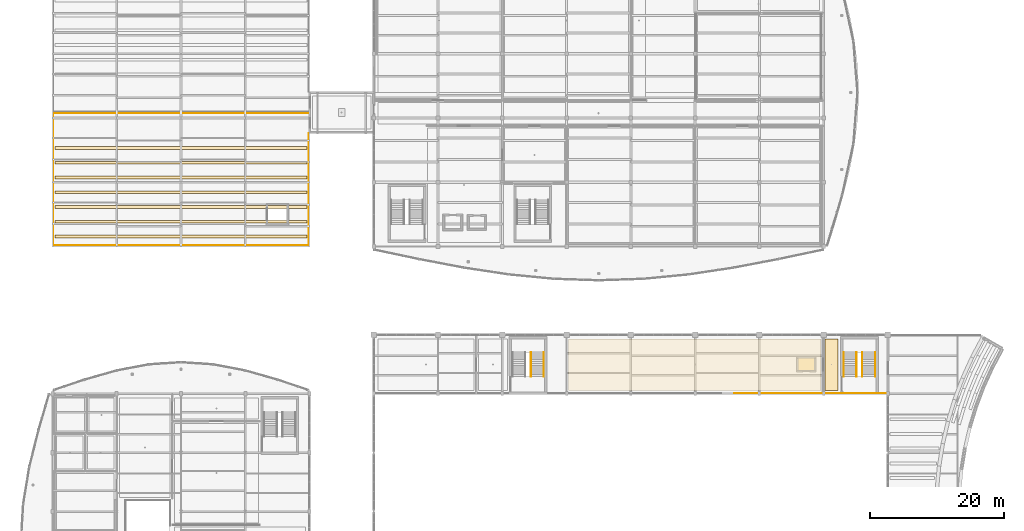
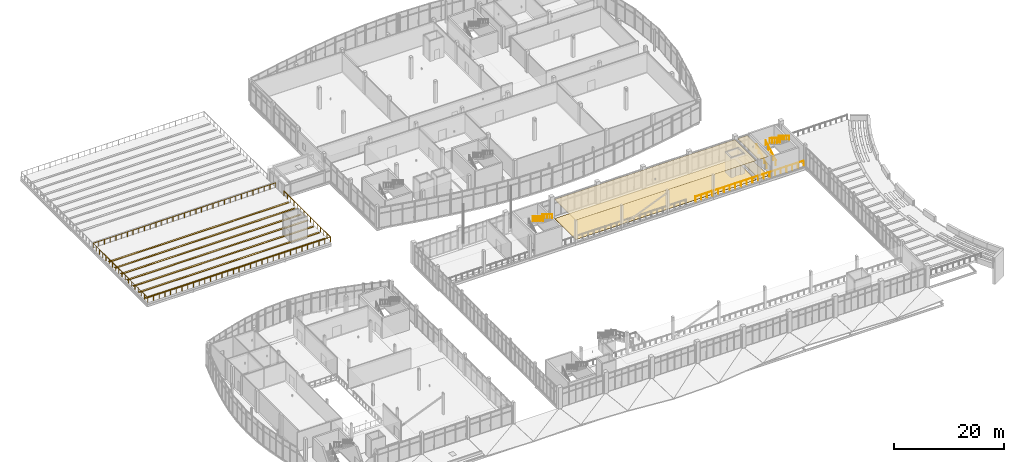
# One storey, part 153 of 157: 11 coverings, 8 railings, 2 elements without a shape of their own.
"""IFC4 building model written with IfcOpenShell, lengths in metres."""

from ifc_helpers import new_model, si_unit, direction, frame, origin, origin_2d, place, context, subcontext, project, spatial, polyline, circle, outline, extrude, material, layer, layer_set, type_object, element, aggregate, save


model = new_model("IFC4")

# Units and contexts
model_context = context("Model", 3, precision=1e-05, world=origin(), true_north=direction((0.0, 1.0)))
body_context = subcontext(model_context, "Body", "Model", "MODEL_VIEW")
ifc_project = project(units=[si_unit("LENGTHUNIT", "METRE"), si_unit("AREAUNIT", "SQUARE_METRE"), si_unit("VOLUMEUNIT", "CUBIC_METRE"), si_unit("PLANEANGLEUNIT", "RADIAN"), si_unit("MASSUNIT", "GRAM", prefix="KILO")], contexts=[model_context])

# Site, building, storey
site_placement = place(None, origin())
site = spatial("IfcSite", under=ifc_project, at=site_placement, CompositionType="ELEMENT")
building_placement = place(site_placement, origin())
building = spatial("IfcBuilding", under=site, at=building_placement, Name="Chalmorin Arch Market", CompositionType="ELEMENT")
storey_placement = place(building_placement, frame((0.0, 0.0, 4.800048828125)))
storey = spatial("IfcBuildingStorey", under=building, at=storey_placement, Name="L01", CompositionType="ELEMENT", Elevation=4.800048828125)

# Coverings
ifc_material_1 = material(Name="Mineral Fibre Acoustic Tile")
ifc_layer_1 = layer(ifc_material_1, 0.044921875)
ifc_layer_set_1 = layer_set([ifc_layer_1], Name="Mineral Fibre Acoustic Tile")
covering_type_1 = type_object("IfcCoveringType", Name="AcousticBaffleCeiling-45", PredefinedType="CEILING", material=ifc_layer_set_1)
covering_1_placement = place(storey_placement, frame((0.0, 0.0, 4.23486328125)))
element("IfcCovering", 1, at=covering_1_placement, inside=storey, type_object=covering_type_1, Name="CLG-01-149", PredefinedType="CEILING", context=body_context, shape_type="SweptSolid", body=[
    extrude(outline(polyline([(77.1201171875, 50.52001953125), (114.780029296875, 50.52001953125), (114.780029296875, 58.179931640625), (77.1201171875, 58.179931640625), (77.1201171875, 50.52001953125)])), origin(), (0.0, 0.0, 1.0), 0.045166015625),
])
covering_2_placement = place(storey_placement, frame((0.0, 0.0, 4.23486328125)))
element("IfcCovering", 2, at=covering_2_placement, inside=storey, type_object=covering_type_1, Name="CLG-01-151", PredefinedType="CEILING", context=body_context, shape_type="SweptSolid", body=[
    extrude(outline(polyline([(115.419921875, 50.52001953125), (117.3798828125, 50.52001953125), (117.3798828125, 58.179931640625), (115.419921875, 58.179931640625), (115.419921875, 50.52001953125)])), origin(), (0.0, 0.0, 1.0), 0.045166015625),
])

# Railing
ifc_material_2 = material(Name="Laminated Acoustic Glass", Category="glass")
ifc_layer_2 = layer(ifc_material_2, 0.070068359375)
ifc_layer_set_2 = layer_set([ifc_layer_2], Name="Laminated Acoustic Glass")
railing_type_1 = type_object("IfcRailingType", Name="GlassBalustradeRailing-1150", PredefinedType="BALUSTRADE", material=ifc_layer_set_2)
railing_1_placement = place(storey_placement, frame((101.89990234375, 50.080078125, 0.0)))
element("IfcRailing", 3, at=railing_1_placement, inside=storey, type_object=railing_type_1, Name="GR-004", PredefinedType="BALUSTRADE", context=body_context, shape_type="SweptSolid", body=[
    extrude(circle(Radius=0.02392578125, at=origin_2d()), frame((0.0, 0.0, 1.1259765625), z_axis=(1.0, 0.0, 0.0), x_axis=(0.0, 1.0, 0.0)), (0.0, 0.0, 1.0), 22.60009765625),
    extrude(circle(Radius=0.02099609375, at=origin_2d()), origin(), (0.0, 0.0, 1.0), 1.101806640625),
    extrude(circle(Radius=0.02099609375, at=origin_2d()), frame((1.189453125, 0.0, 0.0)), (0.0, 0.0, 1.0), 1.101806640625),
    extrude(circle(Radius=0.02099609375, at=origin_2d()), frame((2.37890625, 0.0, 0.0)), (0.0, 0.0, 1.0), 1.101806640625),
    extrude(circle(Radius=0.02099609375, at=origin_2d()), frame((3.568359375, 0.0, 0.0)), (0.0, 0.0, 1.0), 1.101806640625),
    extrude(circle(Radius=0.02099609375, at=origin_2d()), frame((4.7578125, 0.0, 0.0)), (0.0, 0.0, 1.0), 1.101806640625),
    extrude(circle(Radius=0.02099609375, at=origin_2d()), frame((5.947509765625, 0.0, 0.0)), (0.0, 0.0, 1.0), 1.101806640625),
    extrude(circle(Radius=0.02099609375, at=origin_2d()), frame((7.136962890625, 0.0, 0.0)), (0.0, 0.0, 1.0), 1.101806640625),
    extrude(circle(Radius=0.02099609375, at=origin_2d()), frame((8.326416015625, 0.0, 0.0)), (0.0, 0.0, 1.0), 1.101806640625),
    extrude(circle(Radius=0.02099609375, at=origin_2d()), frame((9.515869140625, 0.0, 0.0)), (0.0, 0.0, 1.0), 1.101806640625),
    extrude(circle(Radius=0.02099609375, at=origin_2d()), frame((10.705322265625, 0.0, 0.0)), (0.0, 0.0, 1.0), 1.101806640625),
    extrude(circle(Radius=0.02099609375, at=origin_2d()), frame((11.894775390625, 0.0, 0.0)), (0.0, 0.0, 1.0), 1.101806640625),
    extrude(circle(Radius=0.02099609375, at=origin_2d()), frame((13.084228515625, 0.0, 0.0)), (0.0, 0.0, 1.0), 1.101806640625),
    extrude(circle(Radius=0.02099609375, at=origin_2d()), frame((14.273681640625, 0.0, 0.0)), (0.0, 0.0, 1.0), 1.101806640625),
    extrude(circle(Radius=0.02099609375, at=origin_2d()), frame((15.463134765625, 0.0, 0.0)), (0.0, 0.0, 1.0), 1.101806640625),
    extrude(circle(Radius=0.02099609375, at=origin_2d()), frame((16.652587890625, 0.0, 0.0)), (0.0, 0.0, 1.0), 1.101806640625),
    extrude(circle(Radius=0.02099609375, at=origin_2d()), frame((17.84228515625, 0.0, 0.0)), (0.0, 0.0, 1.0), 1.101806640625),
    extrude(circle(Radius=0.02099609375, at=origin_2d()), frame((19.03173828125, 0.0, 0.0)), (0.0, 0.0, 1.0), 1.101806640625),
    extrude(circle(Radius=0.02099609375, at=origin_2d()), frame((20.22119140625, 0.0, 0.0)), (0.0, 0.0, 1.0), 1.101806640625),
    extrude(circle(Radius=0.02099609375, at=origin_2d()), frame((21.41064453125, 0.0, 0.0)), (0.0, 0.0, 1.0), 1.101806640625),
    extrude(circle(Radius=0.02099609375, at=origin_2d()), frame((22.60009765625, 0.0, 0.0)), (0.0, 0.0, 1.0), 1.101806640625),
])

# Stair, railings
ifc_material_3 = material(Name="Concrete C40/50", Category="concrete")
stair_type_1 = type_object("IfcStairType", Name="DoglegExitStair-28R-SC4", PredefinedType="HALF_TURN_STAIR", material=ifc_material_3)
stair_1_placement = place(storey_placement, origin())
stair_1 = element("IfcStair", 4, at=stair_1_placement, inside=storey, type_object=stair_type_1, Name="ST-10", PredefinedType="HALF_TURN_STAIR")
ifc_material_4 = material(Name="Stainless Steel 316", Category="steel")
ifc_layer_3 = layer(ifc_material_4, 0.048095703125)
ifc_layer_set_3 = layer_set([ifc_layer_3], Name="Stainless Steel 316")
railing_type_2 = type_object("IfcRailingType", Name="StairTubeHandrail-920", PredefinedType="HANDRAIL", material=ifc_layer_set_3)
railing_2_placement = place(storey_placement, frame((118.199951171875, 52.56005859375, 0.17138671875)))
railing_2 = element("IfcRailing", 5, at=railing_2_placement, type_object=railing_type_2, Name="HR-01-041", PredefinedType="HANDRAIL", context=body_context, shape_type="SweptSolid", body=[
    extrude(circle(Radius=0.02392578125, at=origin_2d()), frame((0.0, 0.0, 0.89599609375), z_axis=(0.0, 0.852850264322, 0.5221555579), x_axis=(-1.0, 0.0, 0.0)), (0.0, 0.0, 1.0), 4.267822265625),
    extrude(circle(Radius=0.02099609375, at=origin_2d()), origin(), (0.0, 0.0, 1.0), 0.871826171875),
    extrude(circle(Radius=0.02099609375, at=origin_2d()), frame((0.0, 0.909912109375, 0.55712890625)), (0.0, 0.0, 1.0), 0.871826171875),
    extrude(circle(Radius=0.02099609375, at=origin_2d()), frame((0.0, 1.81982421875, 1.1142578125)), (0.0, 0.0, 1.0), 0.871826171875),
    extrude(circle(Radius=0.02099609375, at=origin_2d()), frame((0.0, 2.72998046875, 1.67138671875)), (0.0, 0.0, 1.0), 0.871826171875),
    extrude(circle(Radius=0.02099609375, at=origin_2d()), frame((0.0, 3.639892578125, 2.228515625)), (0.0, 0.0, 1.0), 0.871826171875),
])
railing_3_placement = place(storey_placement, frame((122.89990234375, 56.199951171875, 2.5712890625)))
railing_3 = element("IfcRailing", 6, at=railing_3_placement, type_object=railing_type_2, Name="HR-01-044", PredefinedType="HANDRAIL", context=body_context, shape_type="SweptSolid", body=[
    extrude(circle(Radius=0.02392578125, at=origin_2d()), frame((0.0, 0.0, 0.89599609375), z_axis=(0.0, -0.852824790078, 0.522197163366), x_axis=(1.0, 0.0, 0.0)), (0.0, 0.0, 1.0), 4.26806640625),
    extrude(circle(Radius=0.02099609375, at=origin_2d()), origin(), (0.0, 0.0, 1.0), 0.871826171875),
    extrude(circle(Radius=0.02099609375, at=origin_2d()), frame((0.0, -0.909912109375, 0.55712890625)), (0.0, 0.0, 1.0), 0.871826171875),
    extrude(circle(Radius=0.02099609375, at=origin_2d()), frame((0.0, -1.81982421875, 1.1142578125)), (0.0, 0.0, 1.0), 0.871826171875),
    extrude(circle(Radius=0.02099609375, at=origin_2d()), frame((0.0, -2.72998046875, 1.671630859375)), (0.0, 0.0, 1.0), 0.871826171875),
    extrude(circle(Radius=0.02099609375, at=origin_2d()), frame((0.0, -3.639892578125, 2.228759765625)), (0.0, 0.0, 1.0), 0.871826171875),
])

# Stair, railing
stair_type_2 = type_object("IfcStairType", Name="DoglegExitStair-28R-SC8", PredefinedType="HALF_TURN_STAIR", material=ifc_material_3)
stair_2_placement = place(storey_placement, origin())
stair_2 = element("IfcStair", 7, at=stair_2_placement, inside=storey, type_object=stair_type_2, Name="ST-25", PredefinedType="HALF_TURN_STAIR")
railing_4_placement = place(storey_placement, frame((73.39990234375, 56.199951171875, 2.5712890625)))
railing_4 = element("IfcRailing", 8, at=railing_4_placement, type_object=railing_type_2, Name="HR-01-108", PredefinedType="HANDRAIL", context=body_context, shape_type="SweptSolid", body=[
    extrude(circle(Radius=0.02392578125, at=origin_2d()), frame((0.0, 0.0, 0.89599609375), z_axis=(0.0, -0.852824790078, 0.522197163366), x_axis=(1.0, 0.0, 0.0)), (0.0, 0.0, 1.0), 4.26806640625),
    extrude(circle(Radius=0.02099609375, at=origin_2d()), origin(), (0.0, 0.0, 1.0), 0.871826171875),
    extrude(circle(Radius=0.02099609375, at=origin_2d()), frame((0.0, -0.909912109375, 0.55712890625)), (0.0, 0.0, 1.0), 0.871826171875),
    extrude(circle(Radius=0.02099609375, at=origin_2d()), frame((0.0, -1.81982421875, 1.1142578125)), (0.0, 0.0, 1.0), 0.871826171875),
    extrude(circle(Radius=0.02099609375, at=origin_2d()), frame((0.0, -2.72998046875, 1.671630859375)), (0.0, 0.0, 1.0), 0.871826171875),
    extrude(circle(Radius=0.02099609375, at=origin_2d()), frame((0.0, -3.639892578125, 2.228759765625)), (0.0, 0.0, 1.0), 0.871826171875),
])

# Railing
ifc_material_5 = material(Name="Galvanised Steel", Category="steel")
ifc_layer_4 = layer(ifc_material_5, 0.054931640625)
ifc_layer_set_4 = layer_set([ifc_layer_4], Name="Galvanised Steel")
railing_type_3 = type_object("IfcRailingType", Name="StairWellGuardrail-1100", PredefinedType="GUARDRAIL", material=ifc_layer_set_4)
railing_5_placement = place(storey_placement, frame((120.1298828125, 52.56005859375, 0.17138671875)))
railing_5 = element("IfcRailing", 9, at=railing_5_placement, type_object=railing_type_3, Name="SG-01-042", PredefinedType="GUARDRAIL", context=body_context, shape_type="SweptSolid", body=[
    extrude(circle(Radius=0.02392578125, at=origin_2d()), frame((0.0, 0.0, 1.076171875), z_axis=(0.0, 0.852850264322, 0.5221555579), x_axis=(-1.0, 0.0, 0.0)), (0.0, 0.0, 1.0), 4.267822265625),
    extrude(circle(Radius=0.02099609375, at=origin_2d()), origin(), (0.0, 0.0, 1.0), 1.052001953125),
    extrude(circle(Radius=0.02099609375, at=origin_2d()), frame((0.0, 0.909912109375, 0.55712890625)), (0.0, 0.0, 1.0), 1.052001953125),
    extrude(circle(Radius=0.02099609375, at=origin_2d()), frame((0.0, 1.81982421875, 1.1142578125)), (0.0, 0.0, 1.0), 1.052001953125),
    extrude(circle(Radius=0.02099609375, at=origin_2d()), frame((0.0, 2.72998046875, 1.67138671875)), (0.0, 0.0, 1.0), 1.052001953125),
    extrude(circle(Radius=0.02099609375, at=origin_2d()), frame((0.0, 3.639892578125, 2.228515625)), (0.0, 0.0, 1.0), 1.052001953125),
])

railing_6_placement = place(storey_placement, frame((120.969970703125, 56.199951171875, 2.5712890625)))
railing_6 = element("IfcRailing", 10, at=railing_6_placement, type_object=railing_type_3, Name="SG-01-043", PredefinedType="GUARDRAIL", context=body_context, shape_type="SweptSolid", body=[
    extrude(circle(Radius=0.02392578125, at=origin_2d()), frame((0.0, 0.0, 1.076171875), z_axis=(0.0, -0.852824790078, 0.522197163366), x_axis=(1.0, 0.0, 0.0)), (0.0, 0.0, 1.0), 4.26806640625),
    extrude(circle(Radius=0.02099609375, at=origin_2d()), origin(), (0.0, 0.0, 1.0), 1.052001953125),
    extrude(circle(Radius=0.02099609375, at=origin_2d()), frame((0.0, -0.909912109375, 0.55712890625)), (0.0, 0.0, 1.0), 1.052001953125),
    extrude(circle(Radius=0.02099609375, at=origin_2d()), frame((0.0, -1.81982421875, 1.1142578125)), (0.0, 0.0, 1.0), 1.052001953125),
    extrude(circle(Radius=0.02099609375, at=origin_2d()), frame((0.0, -2.72998046875, 1.671630859375)), (0.0, 0.0, 1.0), 1.052001953125),
    extrude(circle(Radius=0.02099609375, at=origin_2d()), frame((0.0, -3.639892578125, 2.228759765625)), (0.0, 0.0, 1.0), 1.052001953125),
])

aggregate(stair_1, [railing_2, railing_5, railing_6, railing_3])

railing_7_placement = place(storey_placement, frame((71.469970703125, 56.199951171875, 2.5712890625)))
railing_7 = element("IfcRailing", 11, at=railing_7_placement, type_object=railing_type_3, Name="SG-01-107", PredefinedType="GUARDRAIL", context=body_context, shape_type="SweptSolid", body=[
    extrude(circle(Radius=0.02392578125, at=origin_2d()), frame((0.0, 0.0, 1.076171875), z_axis=(0.0, -0.852824790078, 0.522197163366), x_axis=(1.0, 0.0, 0.0)), (0.0, 0.0, 1.0), 4.26806640625),
    extrude(circle(Radius=0.02099609375, at=origin_2d()), origin(), (0.0, 0.0, 1.0), 1.052001953125),
    extrude(circle(Radius=0.02099609375, at=origin_2d()), frame((0.0, -0.909912109375, 0.55712890625)), (0.0, 0.0, 1.0), 1.052001953125),
    extrude(circle(Radius=0.02099609375, at=origin_2d()), frame((0.0, -1.81982421875, 1.1142578125)), (0.0, 0.0, 1.0), 1.052001953125),
    extrude(circle(Radius=0.02099609375, at=origin_2d()), frame((0.0, -2.72998046875, 1.671630859375)), (0.0, 0.0, 1.0), 1.052001953125),
    extrude(circle(Radius=0.02099609375, at=origin_2d()), frame((0.0, -3.639892578125, 2.228759765625)), (0.0, 0.0, 1.0), 1.052001953125),
])

aggregate(stair_2, [railing_7, railing_4])

ifc_layer_5 = layer(ifc_material_5, 0.06005859375)
ifc_layer_set_5 = layer_set([ifc_layer_5], Name="Galvanised Steel")
railing_type_4 = type_object("IfcRailingType", Name="TerraceMeshGuardrail-1100", PredefinedType="GUARDRAIL", material=ifc_layer_set_5)
railing_8_placement = place(storey_placement, frame((38.300048828125, 88.89990234375, 0.0)))
element("IfcRailing", 12, at=railing_8_placement, inside=storey, type_object=railing_type_4, Name="GR-011", PredefinedType="GUARDRAIL", context=body_context, shape_type="SweptSolid", body=[
    extrude(circle(Radius=0.02392578125, at=origin_2d()), frame((0.0, 0.0, 1.076171875), z_axis=(0.0, -1.0, 0.0), x_axis=(1.0, 0.0, 0.0)), (0.0, 0.0, 1.0), 16.77978515625),
    extrude(circle(Radius=0.02392578125, at=origin_2d()), frame((0.0, -16.77978515625, 1.076171875), z_axis=(-1.0, 0.0, 0.0), x_axis=(0.0, -1.0, 0.0)), (0.0, 0.0, 1.0), 38.179931640625),
    extrude(circle(Radius=0.02392578125, at=origin_2d()), frame((-38.179931640625, -16.77978515625, 1.076171875), z_axis=(0.0, 1.0, 0.0), x_axis=(-1.0, 0.0, 0.0)), (0.0, 0.0, 1.0), 19.77978515625),
    extrude(circle(Radius=0.02392578125, at=origin_2d()), frame((-38.179931640625, 3.0, 1.076171875), z_axis=(1.0, 0.0, 0.0), x_axis=(0.0, 1.0, 0.0)), (0.0, 0.0, 1.0), 38.179931640625),
    extrude(circle(Radius=0.02099609375, at=origin_2d()), origin(), (0.0, 0.0, 1.0), 1.052001953125),
    extrude(circle(Radius=0.02099609375, at=origin_2d()), frame((0.0, -1.198486328125, 0.0)), (0.0, 0.0, 1.0), 1.052001953125),
    extrude(circle(Radius=0.02099609375, at=origin_2d()), frame((0.0, -2.397216796875, 0.0)), (0.0, 0.0, 1.0), 1.052001953125),
    extrude(circle(Radius=0.02099609375, at=origin_2d()), frame((0.0, -3.595703125, 0.0)), (0.0, 0.0, 1.0), 1.052001953125),
    extrude(circle(Radius=0.02099609375, at=origin_2d()), frame((0.0, -4.794189453125, 0.0)), (0.0, 0.0, 1.0), 1.052001953125),
    extrude(circle(Radius=0.02099609375, at=origin_2d()), frame((0.0, -5.99267578125, 0.0)), (0.0, 0.0, 1.0), 1.052001953125),
    extrude(circle(Radius=0.02099609375, at=origin_2d()), frame((0.0, -7.19140625, 0.0)), (0.0, 0.0, 1.0), 1.052001953125),
    extrude(circle(Radius=0.02099609375, at=origin_2d()), frame((0.0, -8.389892578125, 0.0)), (0.0, 0.0, 1.0), 1.052001953125),
    extrude(circle(Radius=0.02099609375, at=origin_2d()), frame((0.0, -9.58837890625, 0.0)), (0.0, 0.0, 1.0), 1.052001953125),
    extrude(circle(Radius=0.02099609375, at=origin_2d()), frame((0.0, -10.787109375, 0.0)), (0.0, 0.0, 1.0), 1.052001953125),
    extrude(circle(Radius=0.02099609375, at=origin_2d()), frame((0.0, -11.985595703125, 0.0)), (0.0, 0.0, 1.0), 1.052001953125),
    extrude(circle(Radius=0.02099609375, at=origin_2d()), frame((0.0, -13.18408203125, 0.0)), (0.0, 0.0, 1.0), 1.052001953125),
    extrude(circle(Radius=0.02099609375, at=origin_2d()), frame((0.0, -14.382568359375, 0.0)), (0.0, 0.0, 1.0), 1.052001953125),
    extrude(circle(Radius=0.02099609375, at=origin_2d()), frame((0.0, -15.581298828125, 0.0)), (0.0, 0.0, 1.0), 1.052001953125),
    extrude(circle(Radius=0.02099609375, at=origin_2d()), frame((0.0, -16.77978515625, 0.0)), (0.0, 0.0, 1.0), 1.052001953125),
    extrude(circle(Radius=0.02099609375, at=origin_2d()), frame((-1.193115234375, -16.77978515625, 0.0)), (0.0, 0.0, 1.0), 1.052001953125),
    extrude(circle(Radius=0.02099609375, at=origin_2d()), frame((-2.38623046875, -16.77978515625, 0.0)), (0.0, 0.0, 1.0), 1.052001953125),
    extrude(circle(Radius=0.02099609375, at=origin_2d()), frame((-3.579345703125, -16.77978515625, 0.0)), (0.0, 0.0, 1.0), 1.052001953125),
    extrude(circle(Radius=0.02099609375, at=origin_2d()), frame((-4.7724609375, -16.77978515625, 0.0)), (0.0, 0.0, 1.0), 1.052001953125),
    extrude(circle(Radius=0.02099609375, at=origin_2d()), frame((-5.965576171875, -16.77978515625, 0.0)), (0.0, 0.0, 1.0), 1.052001953125),
    extrude(circle(Radius=0.02099609375, at=origin_2d()), frame((-7.15869140625, -16.77978515625, 0.0)), (0.0, 0.0, 1.0), 1.052001953125),
    extrude(circle(Radius=0.02099609375, at=origin_2d()), frame((-8.351806640625, -16.77978515625, 0.0)), (0.0, 0.0, 1.0), 1.052001953125),
    extrude(circle(Radius=0.02099609375, at=origin_2d()), frame((-9.544921875, -16.77978515625, 0.0)), (0.0, 0.0, 1.0), 1.052001953125),
    extrude(circle(Radius=0.02099609375, at=origin_2d()), frame((-10.738037109375, -16.77978515625, 0.0)), (0.0, 0.0, 1.0), 1.052001953125),
    extrude(circle(Radius=0.02099609375, at=origin_2d()), frame((-11.93115234375, -16.77978515625, 0.0)), (0.0, 0.0, 1.0), 1.052001953125),
    extrude(circle(Radius=0.02099609375, at=origin_2d()), frame((-13.124267578125, -16.77978515625, 0.0)), (0.0, 0.0, 1.0), 1.052001953125),
    extrude(circle(Radius=0.02099609375, at=origin_2d()), frame((-14.3173828125, -16.77978515625, 0.0)), (0.0, 0.0, 1.0), 1.052001953125),
    extrude(circle(Radius=0.02099609375, at=origin_2d()), frame((-15.510498046875, -16.77978515625, 0.0)), (0.0, 0.0, 1.0), 1.052001953125),
    extrude(circle(Radius=0.02099609375, at=origin_2d()), frame((-16.70361328125, -16.77978515625, 0.0)), (0.0, 0.0, 1.0), 1.052001953125),
    extrude(circle(Radius=0.02099609375, at=origin_2d()), frame((-17.896728515625, -16.77978515625, 0.0)), (0.0, 0.0, 1.0), 1.052001953125),
    extrude(circle(Radius=0.02099609375, at=origin_2d()), frame((-19.08984375, -16.77978515625, 0.0)), (0.0, 0.0, 1.0), 1.052001953125),
    extrude(circle(Radius=0.02099609375, at=origin_2d()), frame((-20.283203125, -16.77978515625, 0.0)), (0.0, 0.0, 1.0), 1.052001953125),
    extrude(circle(Radius=0.02099609375, at=origin_2d()), frame((-21.476318359375, -16.77978515625, 0.0)), (0.0, 0.0, 1.0), 1.052001953125),
    extrude(circle(Radius=0.02099609375, at=origin_2d()), frame((-22.66943359375, -16.77978515625, 0.0)), (0.0, 0.0, 1.0), 1.052001953125),
    extrude(circle(Radius=0.02099609375, at=origin_2d()), frame((-23.862548828125, -16.77978515625, 0.0)), (0.0, 0.0, 1.0), 1.052001953125),
    extrude(circle(Radius=0.02099609375, at=origin_2d()), frame((-25.0556640625, -16.77978515625, 0.0)), (0.0, 0.0, 1.0), 1.052001953125),
    extrude(circle(Radius=0.02099609375, at=origin_2d()), frame((-26.248779296875, -16.77978515625, 0.0)), (0.0, 0.0, 1.0), 1.052001953125),
    extrude(circle(Radius=0.02099609375, at=origin_2d()), frame((-27.44189453125, -16.77978515625, 0.0)), (0.0, 0.0, 1.0), 1.052001953125),
    extrude(circle(Radius=0.02099609375, at=origin_2d()), frame((-28.635009765625, -16.77978515625, 0.0)), (0.0, 0.0, 1.0), 1.052001953125),
    extrude(circle(Radius=0.02099609375, at=origin_2d()), frame((-29.828125, -16.77978515625, 0.0)), (0.0, 0.0, 1.0), 1.052001953125),
    extrude(circle(Radius=0.02099609375, at=origin_2d()), frame((-31.021240234375, -16.77978515625, 0.0)), (0.0, 0.0, 1.0), 1.052001953125),
    extrude(circle(Radius=0.02099609375, at=origin_2d()), frame((-32.21435546875, -16.77978515625, 0.0)), (0.0, 0.0, 1.0), 1.052001953125),
    extrude(circle(Radius=0.02099609375, at=origin_2d()), frame((-33.407470703125, -16.77978515625, 0.0)), (0.0, 0.0, 1.0), 1.052001953125),
    extrude(circle(Radius=0.02099609375, at=origin_2d()), frame((-34.6005859375, -16.77978515625, 0.0)), (0.0, 0.0, 1.0), 1.052001953125),
    extrude(circle(Radius=0.02099609375, at=origin_2d()), frame((-35.793701171875, -16.77978515625, 0.0)), (0.0, 0.0, 1.0), 1.052001953125),
    extrude(circle(Radius=0.02099609375, at=origin_2d()), frame((-36.98681640625, -16.77978515625, 0.0)), (0.0, 0.0, 1.0), 1.052001953125),
    extrude(circle(Radius=0.02099609375, at=origin_2d()), frame((-38.179931640625, -16.77978515625, 0.0)), (0.0, 0.0, 1.0), 1.052001953125),
    extrude(circle(Radius=0.02099609375, at=origin_2d()), frame((-38.179931640625, -15.6162109375, 0.0)), (0.0, 0.0, 1.0), 1.052001953125),
    extrude(circle(Radius=0.02099609375, at=origin_2d()), frame((-38.179931640625, -14.45263671875, 0.0)), (0.0, 0.0, 1.0), 1.052001953125),
    extrude(circle(Radius=0.02099609375, at=origin_2d()), frame((-38.179931640625, -13.289306640625, 0.0)), (0.0, 0.0, 1.0), 1.052001953125),
    extrude(circle(Radius=0.02099609375, at=origin_2d()), frame((-38.179931640625, -12.125732421875, 0.0)), (0.0, 0.0, 1.0), 1.052001953125),
    extrude(circle(Radius=0.02099609375, at=origin_2d()), frame((-38.179931640625, -10.962158203125, 0.0)), (0.0, 0.0, 1.0), 1.052001953125),
    extrude(circle(Radius=0.02099609375, at=origin_2d()), frame((-38.179931640625, -9.798583984375, 0.0)), (0.0, 0.0, 1.0), 1.052001953125),
    extrude(circle(Radius=0.02099609375, at=origin_2d()), frame((-38.179931640625, -8.63525390625, 0.0)), (0.0, 0.0, 1.0), 1.052001953125),
    extrude(circle(Radius=0.02099609375, at=origin_2d()), frame((-38.179931640625, -7.4716796875, 0.0)), (0.0, 0.0, 1.0), 1.052001953125),
    extrude(circle(Radius=0.02099609375, at=origin_2d()), frame((-38.179931640625, -6.30810546875, 0.0)), (0.0, 0.0, 1.0), 1.052001953125),
    extrude(circle(Radius=0.02099609375, at=origin_2d()), frame((-38.179931640625, -5.14453125, 0.0)), (0.0, 0.0, 1.0), 1.052001953125),
    extrude(circle(Radius=0.02099609375, at=origin_2d()), frame((-38.179931640625, -3.981201171875, 0.0)), (0.0, 0.0, 1.0), 1.052001953125),
    extrude(circle(Radius=0.02099609375, at=origin_2d()), frame((-38.179931640625, -2.817626953125, 0.0)), (0.0, 0.0, 1.0), 1.052001953125),
    extrude(circle(Radius=0.02099609375, at=origin_2d()), frame((-38.179931640625, -1.654052734375, 0.0)), (0.0, 0.0, 1.0), 1.052001953125),
    extrude(circle(Radius=0.02099609375, at=origin_2d()), frame((-38.179931640625, -0.490478515625, 0.0)), (0.0, 0.0, 1.0), 1.052001953125),
    extrude(circle(Radius=0.02099609375, at=origin_2d()), frame((-38.179931640625, 0.6728515625, 0.0)), (0.0, 0.0, 1.0), 1.052001953125),
    extrude(circle(Radius=0.02099609375, at=origin_2d()), frame((-38.179931640625, 1.83642578125, 0.0)), (0.0, 0.0, 1.0), 1.052001953125),
    extrude(circle(Radius=0.02099609375, at=origin_2d()), frame((-38.179931640625, 3.0, 0.0)), (0.0, 0.0, 1.0), 1.052001953125),
    extrude(circle(Radius=0.02099609375, at=origin_2d()), frame((-36.98681640625, 3.0, 0.0)), (0.0, 0.0, 1.0), 1.052001953125),
    extrude(circle(Radius=0.02099609375, at=origin_2d()), frame((-35.793701171875, 3.0, 0.0)), (0.0, 0.0, 1.0), 1.052001953125),
    extrude(circle(Radius=0.02099609375, at=origin_2d()), frame((-34.6005859375, 3.0, 0.0)), (0.0, 0.0, 1.0), 1.052001953125),
    extrude(circle(Radius=0.02099609375, at=origin_2d()), frame((-33.407470703125, 3.0, 0.0)), (0.0, 0.0, 1.0), 1.052001953125),
    extrude(circle(Radius=0.02099609375, at=origin_2d()), frame((-32.21435546875, 3.0, 0.0)), (0.0, 0.0, 1.0), 1.052001953125),
    extrude(circle(Radius=0.02099609375, at=origin_2d()), frame((-31.021240234375, 3.0, 0.0)), (0.0, 0.0, 1.0), 1.052001953125),
    extrude(circle(Radius=0.02099609375, at=origin_2d()), frame((-29.828125, 3.0, 0.0)), (0.0, 0.0, 1.0), 1.052001953125),
    extrude(circle(Radius=0.02099609375, at=origin_2d()), frame((-28.635009765625, 3.0, 0.0)), (0.0, 0.0, 1.0), 1.052001953125),
    extrude(circle(Radius=0.02099609375, at=origin_2d()), frame((-27.44189453125, 3.0, 0.0)), (0.0, 0.0, 1.0), 1.052001953125),
    extrude(circle(Radius=0.02099609375, at=origin_2d()), frame((-26.248779296875, 3.0, 0.0)), (0.0, 0.0, 1.0), 1.052001953125),
    extrude(circle(Radius=0.02099609375, at=origin_2d()), frame((-25.0556640625, 3.0, 0.0)), (0.0, 0.0, 1.0), 1.052001953125),
    extrude(circle(Radius=0.02099609375, at=origin_2d()), frame((-23.862548828125, 3.0, 0.0)), (0.0, 0.0, 1.0), 1.052001953125),
    extrude(circle(Radius=0.02099609375, at=origin_2d()), frame((-22.66943359375, 3.0, 0.0)), (0.0, 0.0, 1.0), 1.052001953125),
    extrude(circle(Radius=0.02099609375, at=origin_2d()), frame((-21.476318359375, 3.0, 0.0)), (0.0, 0.0, 1.0), 1.052001953125),
    extrude(circle(Radius=0.02099609375, at=origin_2d()), frame((-20.283203125, 3.0, 0.0)), (0.0, 0.0, 1.0), 1.052001953125),
    extrude(circle(Radius=0.02099609375, at=origin_2d()), frame((-19.08984375, 3.0, 0.0)), (0.0, 0.0, 1.0), 1.052001953125),
    extrude(circle(Radius=0.02099609375, at=origin_2d()), frame((-17.896728515625, 3.0, 0.0)), (0.0, 0.0, 1.0), 1.052001953125),
    extrude(circle(Radius=0.02099609375, at=origin_2d()), frame((-16.70361328125, 3.0, 0.0)), (0.0, 0.0, 1.0), 1.052001953125),
    extrude(circle(Radius=0.02099609375, at=origin_2d()), frame((-15.510498046875, 3.0, 0.0)), (0.0, 0.0, 1.0), 1.052001953125),
    extrude(circle(Radius=0.02099609375, at=origin_2d()), frame((-14.3173828125, 3.0, 0.0)), (0.0, 0.0, 1.0), 1.052001953125),
    extrude(circle(Radius=0.02099609375, at=origin_2d()), frame((-13.124267578125, 3.0, 0.0)), (0.0, 0.0, 1.0), 1.052001953125),
    extrude(circle(Radius=0.02099609375, at=origin_2d()), frame((-11.93115234375, 3.0, 0.0)), (0.0, 0.0, 1.0), 1.052001953125),
    extrude(circle(Radius=0.02099609375, at=origin_2d()), frame((-10.738037109375, 3.0, 0.0)), (0.0, 0.0, 1.0), 1.052001953125),
    extrude(circle(Radius=0.02099609375, at=origin_2d()), frame((-9.544921875, 3.0, 0.0)), (0.0, 0.0, 1.0), 1.052001953125),
    extrude(circle(Radius=0.02099609375, at=origin_2d()), frame((-8.351806640625, 3.0, 0.0)), (0.0, 0.0, 1.0), 1.052001953125),
    extrude(circle(Radius=0.02099609375, at=origin_2d()), frame((-7.15869140625, 3.0, 0.0)), (0.0, 0.0, 1.0), 1.052001953125),
    extrude(circle(Radius=0.02099609375, at=origin_2d()), frame((-5.965576171875, 3.0, 0.0)), (0.0, 0.0, 1.0), 1.052001953125),
    extrude(circle(Radius=0.02099609375, at=origin_2d()), frame((-4.7724609375, 3.0, 0.0)), (0.0, 0.0, 1.0), 1.052001953125),
    extrude(circle(Radius=0.02099609375, at=origin_2d()), frame((-3.579345703125, 3.0, 0.0)), (0.0, 0.0, 1.0), 1.052001953125),
    extrude(circle(Radius=0.02099609375, at=origin_2d()), frame((-2.38623046875, 3.0, 0.0)), (0.0, 0.0, 1.0), 1.052001953125),
    extrude(circle(Radius=0.02099609375, at=origin_2d()), frame((-1.193115234375, 3.0, 0.0)), (0.0, 0.0, 1.0), 1.052001953125),
    extrude(circle(Radius=0.02099609375, at=origin_2d()), frame((0.0, 3.0, 0.0)), (0.0, 0.0, 1.0), 1.052001953125),
])

# Coverings
ifc_material_6 = material(Name="Polished Terrazzo")
ifc_layer_6 = layer(ifc_material_6, 0.02490234375)
ifc_layer_set_6 = layer_set([ifc_layer_6], Name="Polished Terrazzo")
covering_type_2 = type_object("IfcCoveringType", Name="TerrazzoMarketFloorFinish-25", PredefinedType="FLOORING", material=ifc_layer_set_6)
covering_3_placement = place(storey_placement, origin())
element("IfcCovering", 13, at=covering_3_placement, inside=storey, type_object=covering_type_2, Name="FLR-01-148", PredefinedType="FLOORING", context=body_context, shape_type="SweptSolid", body=[
    extrude(outline(polyline([(77.1201171875, 50.52001953125), (114.780029296875, 50.52001953125), (114.780029296875, 58.179931640625), (77.1201171875, 58.179931640625), (77.1201171875, 50.52001953125)])), origin(), (0.0, 0.0, 1.0), 0.02490234375),
])
covering_4_placement = place(storey_placement, origin())
element("IfcCovering", 14, at=covering_4_placement, inside=storey, type_object=covering_type_2, Name="FLR-01-150", PredefinedType="FLOORING", context=body_context, shape_type="SweptSolid", body=[
    extrude(outline(polyline([(115.419921875, 50.52001953125), (117.3798828125, 50.52001953125), (117.3798828125, 58.179931640625), (115.419921875, 58.179931640625), (115.419921875, 50.52001953125)])), origin(), (0.0, 0.0, 1.0), 0.02490234375),
])
ifc_material_7 = material(Name="Planted Green Roof Turf")
ifc_layer_7 = layer(ifc_material_7, 0.044921875)
ifc_layer_set_7 = layer_set([ifc_layer_7], Name="Planted Green Roof Turf")
covering_type_3 = type_object("IfcCoveringType", Name="VegetatedMoundTurfStrip-45", PredefinedType="ROOFING", material=ifc_layer_set_7)
covering_5_placement = place(storey_placement, origin())
element("IfcCovering", 15, at=covering_5_placement, inside=storey, type_object=covering_type_3, Name="VMT-45-001", PredefinedType="ROOFING", context=body_context, shape_type="SweptSolid", body=[
    extrude(outline(polyline([(0.39990234375, 73.2900390625), (38.0, 73.2900390625), (38.0, 73.7099609375), (0.39990234375, 73.7099609375), (0.39990234375, 73.2900390625)])), origin(), (0.0, 0.0, 1.0), 0.044921875),
])
covering_6_placement = place(storey_placement, origin())
element("IfcCovering", 16, at=covering_6_placement, inside=storey, type_object=covering_type_3, Name="VMT-45-002", PredefinedType="ROOFING", context=body_context, shape_type="SweptSolid", body=[
    extrude(outline(polyline([(0.39990234375, 75.489990234375), (38.0, 75.489990234375), (38.0, 75.909912109375), (0.39990234375, 75.909912109375), (0.39990234375, 75.489990234375)])), origin(), (0.0, 0.0, 1.0), 0.044921875),
])
covering_7_placement = place(storey_placement, origin())
element("IfcCovering", 17, at=covering_7_placement, inside=storey, type_object=covering_type_3, Name="VMT-45-003", PredefinedType="ROOFING", context=body_context, shape_type="SweptSolid", body=[
    extrude(outline(polyline([(0.39990234375, 77.68994140625), (38.0, 77.68994140625), (38.0, 78.110107421875), (0.39990234375, 78.110107421875), (0.39990234375, 77.68994140625)])), origin(), (0.0, 0.0, 1.0), 0.044921875),
])
covering_8_placement = place(storey_placement, origin())
element("IfcCovering", 18, at=covering_8_placement, inside=storey, type_object=covering_type_3, Name="VMT-45-004", PredefinedType="ROOFING", context=body_context, shape_type="SweptSolid", body=[
    extrude(outline(polyline([(0.39990234375, 79.889892578125), (38.0, 79.889892578125), (38.0, 80.31005859375), (0.39990234375, 80.31005859375), (0.39990234375, 79.889892578125)])), origin(), (0.0, 0.0, 1.0), 0.044921875),
])
covering_9_placement = place(storey_placement, origin())
element("IfcCovering", 19, at=covering_9_placement, inside=storey, type_object=covering_type_3, Name="VMT-45-005", PredefinedType="ROOFING", context=body_context, shape_type="SweptSolid", body=[
    extrude(outline(polyline([(0.39990234375, 82.090087890625), (38.0, 82.090087890625), (38.0, 82.510009765625), (0.39990234375, 82.510009765625), (0.39990234375, 82.090087890625)])), origin(), (0.0, 0.0, 1.0), 0.044921875),
])
covering_10_placement = place(storey_placement, origin())
element("IfcCovering", 20, at=covering_10_placement, inside=storey, type_object=covering_type_3, Name="VMT-45-006", PredefinedType="ROOFING", context=body_context, shape_type="SweptSolid", body=[
    extrude(outline(polyline([(0.39990234375, 84.2900390625), (38.0, 84.2900390625), (38.0, 84.7099609375), (0.39990234375, 84.7099609375), (0.39990234375, 84.2900390625)])), origin(), (0.0, 0.0, 1.0), 0.044921875),
])
covering_11_placement = place(storey_placement, origin())
element("IfcCovering", 21, at=covering_11_placement, inside=storey, type_object=covering_type_3, Name="VMT-45-007", PredefinedType="ROOFING", context=body_context, shape_type="SweptSolid", body=[
    extrude(outline(polyline([(0.39990234375, 86.489990234375), (38.0, 86.489990234375), (38.0, 86.909912109375), (0.39990234375, 86.909912109375), (0.39990234375, 86.489990234375)])), origin(), (0.0, 0.0, 1.0), 0.044921875),
])

save(model, "model.ifc")
